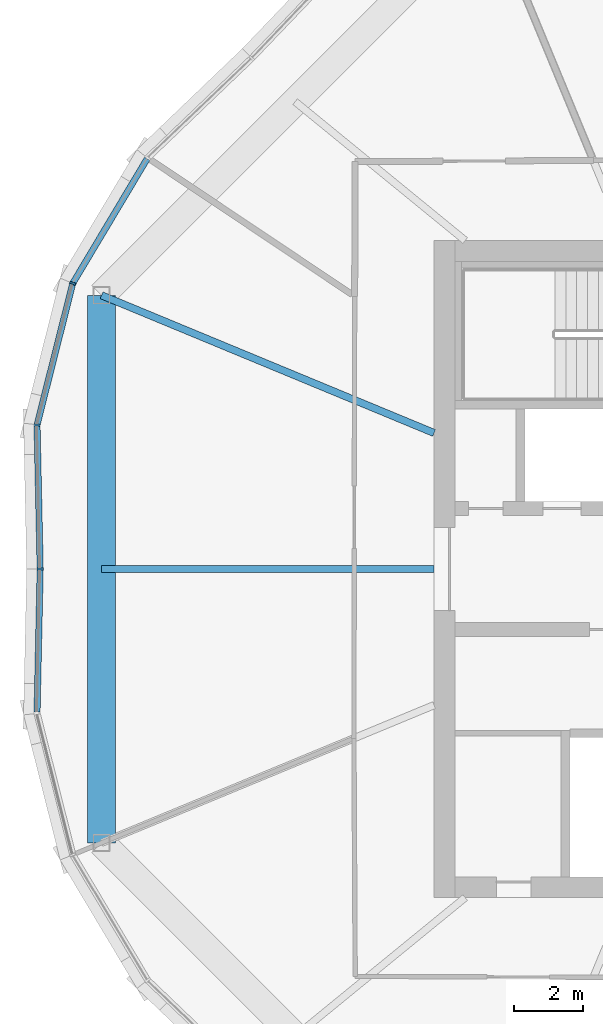
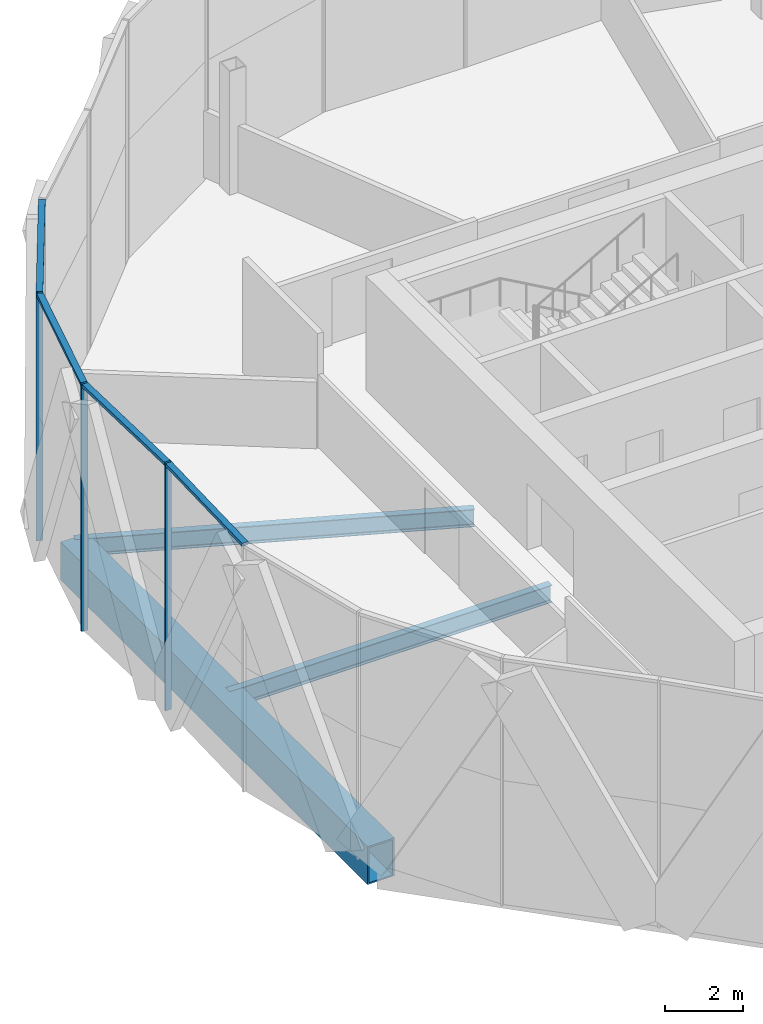
# One storey, part 5 of 26: 7 members, 3 beams, 2 elements without a shape of their own.
"""IFC4 building model written with IfcOpenShell, lengths in metres."""

from ifc_helpers import new_model, si_unit, direction, frame, origin, origin_2d, place, context, subcontext, project, spatial, rectangle, hollow_rectangle, i_section, extrude, material, material_profile, profile_set, type_object, element, aggregate, save


model = new_model("IFC4")

# Units and contexts
model_context = context("Model", 3, precision=1e-05, world=origin(), true_north=direction((0.0, 1.0)))
body_context = subcontext(model_context, "Body", "Model", "MODEL_VIEW")
ifc_project = project(units=[si_unit("LENGTHUNIT", "METRE"), si_unit("AREAUNIT", "SQUARE_METRE"), si_unit("VOLUMEUNIT", "CUBIC_METRE"), si_unit("PLANEANGLEUNIT", "RADIAN"), si_unit("MASSUNIT", "GRAM", prefix="KILO")], contexts=[model_context])

# Site, building, storey
site_placement = place(None, origin())
site = spatial("IfcSite", under=ifc_project, at=site_placement, CompositionType="ELEMENT")
building_placement = place(site_placement, origin())
building = spatial("IfcBuilding", under=site, at=building_placement, Name="Ogive Gate Towers", CompositionType="ELEMENT")
storey_placement = place(building_placement, frame((0.0, 0.0, 208.5)))
storey = spatial("IfcBuildingStorey", under=building, at=storey_placement, Name="L50", CompositionType="ELEMENT", Elevation=208.5)

# Beams
ifc_material_1 = material(Name="Steel SM460", Category="steel")
ifc_material_profile_1 = material_profile(ifc_material_1, hollow_rectangle(XDim=0.800048828125, YDim=1.199951171875, WallThickness=0.050048828125, at=origin_2d()), Name="BX 1200x800x50")
ifc_profile_set_1 = profile_set([ifc_material_profile_1], Name="Steel SM460")
beam_type_1 = type_object("IfcBeamType", Name="Edge girder BX 1200x800x50", PredefinedType="BEAM", material=ifc_profile_set_1)
beam_1_placement = place(storey_placement, frame((-55.114990234375, 7.917724609375, -0.89990234375), z_axis=(0.0, -1.0, 0.0), x_axis=(1.0, 0.0, 0.0)))
element("IfcBeam", 1, at=beam_1_placement, inside=storey, type_object=beam_type_1, Name="T1/L50/SBM024", PredefinedType="BEAM", context=body_context, shape_type="SweptSolid", body=[
    extrude(hollow_rectangle(XDim=0.800048828125, YDim=1.199951171875, WallThickness=0.050048828125, at=origin_2d()), origin(), (0.0, 0.0, 1.0), 15.83544921875),
])
ifc_material_2 = material(Name="Steel SM355", Category="steel")
ifc_material_profile_2 = material_profile(ifc_material_2, i_section(OverallWidth=0.2099609375, OverallDepth=0.550048828125, WebThickness=0.010986328125, FlangeThickness=0.01708984375, FilletRadius=0.02392578125, at=origin_2d()), Name="IPE 550")
ifc_profile_set_2 = profile_set([ifc_material_profile_2], Name="Steel SM355")
beam_type_2 = type_object("IfcBeamType", Name="Radial floor beam IPE 550", PredefinedType="BEAM", material=ifc_profile_set_2)
beam_2_placement = place(storey_placement, frame((-45.5, 3.93505859375, -0.574951171875), z_axis=(-0.92387930631, 0.382683978464, 0.0), x_axis=(-0.382683978464, -0.92387930631, 0.0)))
element("IfcBeam", 2, at=beam_2_placement, inside=storey, type_object=beam_type_2, Name="T1/L50/SBM015", PredefinedType="BEAM", context=body_context, shape_type="SweptSolid", body=[
    extrude(i_section(OverallWidth=0.2099609375, OverallDepth=0.550048828125, WebThickness=0.010986328125, FlangeThickness=0.01708984375, FilletRadius=0.02392578125, at=origin_2d()), origin(), (0.0, 0.0, 1.0), 10.4072265625),
])
beam_3_placement = place(storey_placement, frame((-45.5, 0.0, -0.574951171875), z_axis=(-1.0, 0.0, 0.0), x_axis=(0.0, -1.0, 0.0)))
element("IfcBeam", 3, at=beam_3_placement, inside=storey, type_object=beam_type_2, Name="T1/L50/SBM016", PredefinedType="BEAM", context=body_context, shape_type="SweptSolid", body=[
    extrude(i_section(OverallWidth=0.2099609375, OverallDepth=0.550048828125, WebThickness=0.010986328125, FlangeThickness=0.01708984375, FilletRadius=0.02392578125, at=origin_2d()), origin(), (0.0, 0.0, 1.0), 9.614990234375),
])

# Curtain wall, members
ifc_material_3 = material(Name="Pale metal aluminium", Category="aluminium")
curtain_wall_type = type_object("IfcCurtainWallType", Name="Tower unitised wall, high zone", PredefinedType="NOTDEFINED", material=ifc_material_3)
curtain_wall_1_placement = place(storey_placement, origin())
curtain_wall_1 = element("IfcCurtainWall", 4, at=curtain_wall_1_placement, inside=storey, type_object=curtain_wall_type, Name="CW2 T1 ECW04", PredefinedType="NOTDEFINED")
ifc_material_profile_3 = material_profile(ifc_material_3, rectangle(XDim=0.179931640625, YDim=0.06005859375, at=origin_2d()), Name="60 x 180 aluminium box")
ifc_profile_set_3 = profile_set([ifc_material_profile_3], Name="Pale metal aluminium")
member_type_1 = type_object("IfcMemberType", Name="Tower unitised wall, high zone mullion 60 x 180", PredefinedType="MULLION", material=ifc_profile_set_3)
member_1_placement = place(storey_placement, frame((-55.947509765625, 8.2626953125, -0.300048828125), z_axis=(0.0, 0.0, 1.0), x_axis=(-0.923879532511, 0.382683432365, 0.0)))
member_1 = element("IfcMember", 5, at=member_1_placement, type_object=member_type_1, Name="CW2 mullion", PredefinedType="MULLION", context=body_context, shape_type="SweptSolid", body=[
    extrude(rectangle(XDim=0.179931640625, YDim=0.06005859375, at=origin_2d()), origin(), (0.0, 0.0, 1.0), 7.800048828125),
])
member_2_placement = place(storey_placement, frame((-56.981201171875, 4.165771484375, -0.300048828125), z_axis=(0.0, 0.0, 1.0), x_axis=(-0.993662420818, 0.112405486759, 0.0)))
member_2 = element("IfcMember", 6, at=member_2_placement, type_object=member_type_1, Name="CW2 mullion", PredefinedType="MULLION", context=body_context, shape_type="SweptSolid", body=[
    extrude(rectangle(XDim=0.179931640625, YDim=0.06005859375, at=origin_2d()), origin(), (0.0, 0.0, 1.0), 7.800048828125),
])
member_3_placement = place(storey_placement, frame((-56.889892578125, 0.000244140625, -0.300048828125), z_axis=(0.0, 0.0, 1.0), x_axis=(-0.999761646186, -0.02183233417, 0.0)))
member_3 = element("IfcMember", 7, at=member_3_placement, type_object=member_type_1, Name="CW2 mullion", PredefinedType="MULLION", context=body_context, shape_type="SweptSolid", body=[
    extrude(rectangle(XDim=0.179931640625, YDim=0.06005859375, at=origin_2d()), origin(), (0.0, 0.0, 1.0), 7.800048828125),
])
ifc_material_profile_4 = material_profile(ifc_material_3, rectangle(XDim=0.179931640625, YDim=0.10009765625, at=origin_2d()), Name="100 x 180 aluminium box")
ifc_profile_set_4 = profile_set([ifc_material_profile_4], Name="Pale metal aluminium")
member_type_2 = type_object("IfcMemberType", Name="Tower unitised wall, high zone transom 100 x 180", PredefinedType="USERDEFINED", material=ifc_profile_set_4)
member_4_placement = place(storey_placement, frame((-53.7958984375, 11.865478515625, 7.449951171875), z_axis=(-0.512720130278, -0.858555803666, 0.0), x_axis=(0.858555803666, -0.512720130278, 0.0)))
member_4 = element("IfcMember", 8, at=member_4_placement, type_object=member_type_2, Name="CW2 transom", ObjectType="TRANSOM", PredefinedType="USERDEFINED", context=body_context, shape_type="SweptSolid", body=[
    extrude(rectangle(XDim=0.179931640625, YDim=0.10009765625, at=origin_2d()), origin(), (0.0, 0.0, 1.0), 4.16796875),
])
member_5_placement = place(storey_placement, frame((-55.954345703125, 8.23486328125, 7.449951171875), z_axis=(-0.244657437312, -0.969609580382, 0.0), x_axis=(0.969609580382, -0.244657437312, 0.0)))
member_5 = element("IfcMember", 9, at=member_5_placement, type_object=member_type_2, Name="CW2 transom", ObjectType="TRANSOM", PredefinedType="USERDEFINED", context=body_context, shape_type="SweptSolid", body=[
    extrude(rectangle(XDim=0.179931640625, YDim=0.10009765625, at=origin_2d()), origin(), (0.0, 0.0, 1.0), 4.168212890625),
])
member_6_placement = place(storey_placement, frame((-56.980224609375, 4.136962890625, 7.449951171875), z_axis=(0.021812774558, -0.999762073128, 0.0), x_axis=(0.999762073128, 0.021812774558, 0.0)))
member_6 = element("IfcMember", 10, at=member_6_placement, type_object=member_type_2, Name="CW2 transom", ObjectType="TRANSOM", PredefinedType="USERDEFINED", context=body_context, shape_type="SweptSolid", body=[
    extrude(rectangle(XDim=0.179931640625, YDim=0.10009765625, at=origin_2d()), origin(), (0.0, 0.0, 1.0), 4.107666015625),
])
aggregate(curtain_wall_1, [member_1, member_4, member_2, member_5, member_3, member_6])

# Curtain wall, member
curtain_wall_2_placement = place(storey_placement, origin())
curtain_wall_2 = element("IfcCurtainWall", 11, at=curtain_wall_2_placement, inside=storey, type_object=curtain_wall_type, Name="CW2 T1 ECW05", PredefinedType="NOTDEFINED")
member_7_placement = place(storey_placement, frame((-56.890625, -0.0302734375, 7.449951171875), z_axis=(-0.021812774558, -0.999762073128, 0.0), x_axis=(0.999762073128, -0.021812774558, 0.0)))
member_7 = element("IfcMember", 12, at=member_7_placement, type_object=member_type_2, Name="CW2 transom", ObjectType="TRANSOM", PredefinedType="USERDEFINED", context=body_context, shape_type="SweptSolid", body=[
    extrude(rectangle(XDim=0.179931640625, YDim=0.10009765625, at=origin_2d()), origin(), (0.0, 0.0, 1.0), 4.107666015625),
])
aggregate(curtain_wall_2, [member_7])

save(model, "model.ifc")
